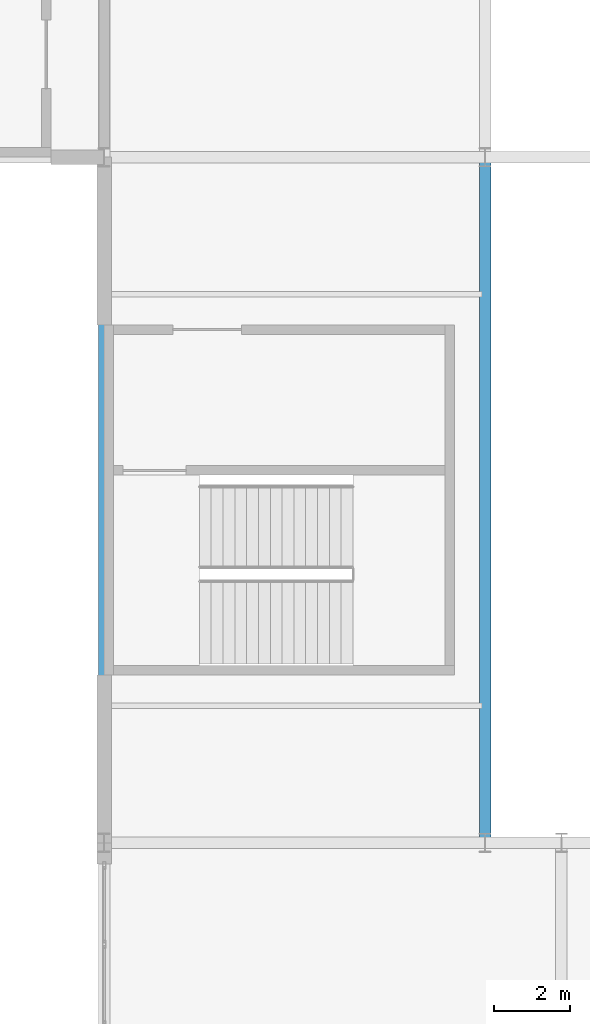
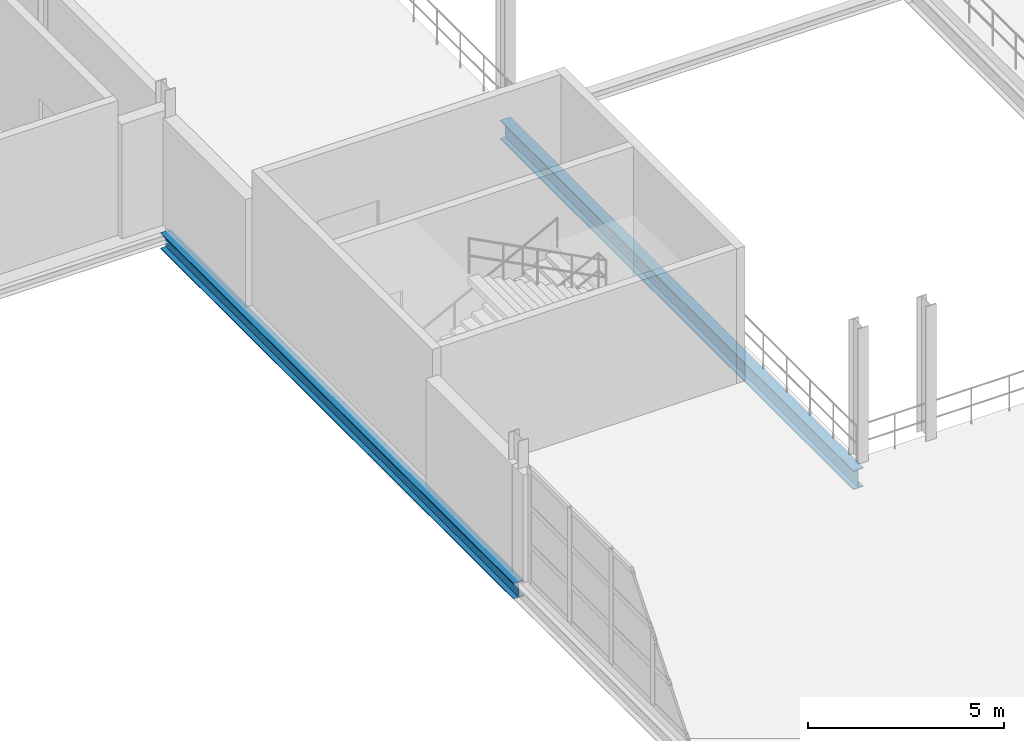
# One storey, part 28 of 158: 2 beams.
"""IFC4 building model written with IfcOpenShell, lengths in metres."""

import ifcopenshell
import ifcopenshell.guid

model = None  # the IFC model being written
_history = None  # IfcOwnerHistory: only IFC2X3 demands one
_inside = {}  # id of a spatial element -> (the spatial element, [elements in it])
_under = {}  # id of a project, library or spatial element -> (it, [spatial elements below it])
_declared = {}  # id of a project -> (the project, [libraries it declares])
_typed = {}  # id of a type object -> (the type object, [elements of that type])
_made_of = {}  # id of a material, layer set ... -> (it, [elements and type objects made of it])


def new_model(schema):
    """Start an empty IFC model of exactly this schema.

    Asked for "IFC4X3", IfcOpenShell would pick the latest addendum, in which some entities
    have other attributes; the version numbers below select the first issue.
    IFC2X3 requires an IfcOwnerHistory on every rooted entity: one is made here for all.
    """
    global model, _history
    if schema == "IFC4X3":
        model = ifcopenshell.file(schema_version=(4, 3, 0, 0))
    else:
        model = ifcopenshell.file(schema=schema)
    _inside.clear()
    _under.clear()
    _declared.clear()
    _typed.clear()
    _made_of.clear()
    _history = None
    if model.schema == "IFC2X3":
        org = make("IfcOrganization", Name="unknown")
        user = make(
            "IfcPersonAndOrganization",
            ThePerson=make("IfcPerson", FamilyName="unknown"),
            TheOrganization=org,
        )
        app = make(
            "IfcApplication",
            ApplicationDeveloper=org,
            Version="unknown",
            ApplicationFullName="unknown",
            ApplicationIdentifier="unknown",
        )
        _history = make(
            "IfcOwnerHistory",
            OwningUser=user,
            OwningApplication=app,
            ChangeAction="ADDED",
            CreationDate=0,
        )
    return model


def make(cls, **values):
    """One entity of the class cls with the attributes given. An attribute that is None is left unset."""
    return model.create_entity(
        cls, **{name: value for name, value in values.items() if value is not None}
    )


def rooted(cls, **values):
    """An entity with a GlobalId (a new one), such as an element, a storey or a relation."""
    return make(cls, GlobalId=ifcopenshell.guid.new(), OwnerHistory=_history, **values)


def si_unit(unit_type, name, prefix=None):
    """IfcSIUnit, for example si_unit("LENGTHUNIT", "METRE", prefix="MILLI")."""
    return make("IfcSIUnit", UnitType=unit_type, Prefix=prefix, Name=name)


def assignment(units):
    """IfcUnitAssignment: the units of a project."""
    return None if units is None else make("IfcUnitAssignment", Units=units)


def point(xyz):
    """IfcCartesianPoint."""
    return None if xyz is None else make("IfcCartesianPoint", Coordinates=xyz)


def direction(xyz):
    """IfcDirection."""
    return None if xyz is None else make("IfcDirection", DirectionRatios=xyz)


def frame(location, z_axis=None, x_axis=None):
    """IfcAxis2Placement3D, a coordinate frame: its origin and axes. An axis left out is left unset."""
    return make(
        "IfcAxis2Placement3D",
        Location=point(location),
        Axis=direction(z_axis),
        RefDirection=direction(x_axis),
    )


def frame_2d(location, x_axis=None):
    """IfcAxis2Placement2D, a coordinate frame in the plane: its origin and x axis."""
    return make(
        "IfcAxis2Placement2D", Location=point(location), RefDirection=direction(x_axis)
    )


def origin():
    """The frame at (0, 0, 0) with its axes left unset."""
    return frame((0.0, 0.0, 0.0))


def origin_2d():
    """The frame at (0, 0) in the plane with its x axis left unset."""
    return frame_2d((0.0, 0.0))


def place(relative_to, where):
    """IfcLocalPlacement: puts the frame where relative to a parent placement (None: the world)."""
    return make(
        "IfcLocalPlacement", PlacementRelTo=relative_to, RelativePlacement=where
    )


def context(
    kind, dimensions, precision=None, world=None, true_north=None, identifier=None
):
    """IfcGeometricRepresentationContext, for example the 3D "Model" context."""
    return make(
        "IfcGeometricRepresentationContext",
        ContextIdentifier=identifier,
        ContextType=kind,
        CoordinateSpaceDimension=dimensions,
        Precision=precision,
        WorldCoordinateSystem=world,
        TrueNorth=true_north,
    )


def subcontext(parent, identifier, kind, view, scale=None):
    """IfcGeometricRepresentationSubContext, for example "Body" below "Model"."""
    return make(
        "IfcGeometricRepresentationSubContext",
        ContextIdentifier=identifier,
        ContextType=kind,
        ParentContext=parent,
        TargetScale=scale,
        TargetView=view,
    )


def project(units=None, contexts=None):
    """IfcProject with its units and contexts."""
    return rooted(
        "IfcProject",
        Name="project",
        RepresentationContexts=contexts,
        UnitsInContext=assignment(units),
    )


def spatial(cls, under=None, at=None, **own):
    """A site, building, storey or space (cls), placed at a placement, below another one or the project."""
    s = rooted(cls, ObjectPlacement=at, **own)
    if under is not None:
        _under.setdefault(under.id(), (under, []))[1].append(s)
    return s


def profile(cls, at=None, kind="AREA", **sizes):
    """A parametric profile (cls). Its sizes go by their IFC names, for example OverallWidth=200.0."""
    return make(cls, ProfileType=kind, Position=at, **sizes)


def i_section(**sizes):
    """IfcIShapeProfileDef."""
    return profile("IfcIShapeProfileDef", **sizes)


def extrude(swept, where, along, depth):
    """IfcExtrudedAreaSolid: the profile swept, set in the frame where, extruded along a direction by depth."""
    return make(
        "IfcExtrudedAreaSolid",
        SweptArea=swept,
        Position=where,
        ExtrudedDirection=direction(along),
        Depth=depth,
    )


def shape(context_of_items, identifier, shape_type, items):
    """IfcShapeRepresentation: the items that make up one representation, for example the "Body"."""
    return make(
        "IfcShapeRepresentation",
        ContextOfItems=context_of_items,
        RepresentationIdentifier=identifier,
        RepresentationType=shape_type,
        Items=items,
    )


def material(Name=None, Category=None):
    """IfcMaterial."""
    return make("IfcMaterial", Name=Name, Category=Category)


def material_profile(
    of_material, cross_section, Name=None, Category=None, Priority=None
):
    """IfcMaterialProfile: a cross section and its material."""
    return make(
        "IfcMaterialProfile",
        Name=Name,
        Material=of_material,
        Profile=cross_section,
        Priority=Priority,
        Category=Category,
    )


def profile_set(profiles, Name=None, composite=None):
    """IfcMaterialProfileSet."""
    return make(
        "IfcMaterialProfileSet",
        Name=Name,
        MaterialProfiles=profiles,
        CompositeProfile=composite,
    )


def made_of(thing, what):
    """Note that an element or type object is made of a material, layer set ...; save() writes the relation."""
    if what is not None:
        _made_of.setdefault(what.id(), (what, []))[1].append(thing)
    return thing


def type_object(cls, material=None, **own):
    """A type object (cls), such as IfcWallType, which elements share."""
    return made_of(rooted(cls, **own), material)


def element(
    cls,
    number,
    at=None,
    inside=None,
    cuts=None,
    type_object=None,
    material=None,
    context=None,
    identifier="Body",
    shape_type=None,
    held_by="IfcProductDefinitionShape",
    body=None,
    shapes=None,
    **own,
):
    """One element of the class cls, such as IfcWall. Its Tag is "e" and its number.

    at: its placement. inside: the storey or other place that contains it. cuts: it is an
    opening in that element (IfcRelVoidsElement). A single representation is given by context,
    identifier, shape_type and body (its items); several are given by shapes. held_by: the class
    of the entity that holds the representations. save() writes the other relations.
    """
    e = rooted(cls, Tag="e%d" % number, ObjectPlacement=at, **own)
    if body is not None:
        shapes = [shape(context, identifier, shape_type, body)]
    if shapes is not None:
        e.Representation = make(held_by, Representations=shapes)
    if inside is not None:
        _inside.setdefault(inside.id(), (inside, []))[1].append(e)
    if cuts is not None:
        rooted(
            "IfcRelVoidsElement", RelatingBuildingElement=cuts, RelatedOpeningElement=e
        )
    if type_object is not None:
        _typed.setdefault(type_object.id(), (type_object, []))[1].append(e)
    return made_of(e, material)


def aggregate(whole, parts):
    """IfcRelAggregates: a whole, such as a stair, and the parts it consists of."""
    return rooted("IfcRelAggregates", RelatingObject=whole, RelatedObjects=parts)


def save(model, path):
    """Write the relations noted so far, then the file.

    IfcRelAggregates (storeys below a building ...), IfcRelContainedInSpatialStructure (elements
    in a storey), IfcRelDefinesByType, IfcRelAssociatesMaterial and IfcRelDeclares: one each for
    every whole, place, type object, material and project.
    """
    for whole, parts in _under.values():
        aggregate(whole, parts)
    for where, things in _inside.values():
        rooted(
            "IfcRelContainedInSpatialStructure",
            RelatedElements=things,
            RelatingStructure=where,
        )
    for kind, things in _typed.values():
        rooted("IfcRelDefinesByType", RelatedObjects=things, RelatingType=kind)
    for what, things in _made_of.values():
        rooted("IfcRelAssociatesMaterial", RelatedObjects=things, RelatingMaterial=what)
    for by, libraries in _declared.values():
        rooted("IfcRelDeclares", RelatingContext=by, RelatedDefinitions=libraries)
    model.write(path)


model = new_model("IFC4")

# Units and contexts
model_context = context("Model", 3, precision=1e-05, world=origin(), true_north=direction((0.0, 1.0)))
body_context = subcontext(model_context, "Body", "Model", "MODEL_VIEW")
ifc_project = project(units=[si_unit("LENGTHUNIT", "METRE"), si_unit("AREAUNIT", "SQUARE_METRE"), si_unit("VOLUMEUNIT", "CUBIC_METRE"), si_unit("PLANEANGLEUNIT", "RADIAN"), si_unit("MASSUNIT", "GRAM", prefix="KILO")], contexts=[model_context])

# Site, building, storey
site_placement = place(None, origin())
site = spatial("IfcSite", under=ifc_project, at=site_placement, CompositionType="ELEMENT")
building_placement = place(site_placement, origin())
building = spatial("IfcBuilding", under=site, at=building_placement, Name="Zilviju Railside Exhibition Hall", CompositionType="ELEMENT")
storey_placement = place(building_placement, frame((0.0, 0.0, 4.199951171875)))
storey = spatial("IfcBuildingStorey", under=building, at=storey_placement, Name="L02", CompositionType="ELEMENT", Elevation=4.199951171875)

# Beams
ifc_material = material(Name="Steel S355J2", Category="steel")
ifc_material_profile_1 = material_profile(ifc_material, i_section(OverallWidth=0.300048828125, OverallDepth=0.5, WebThickness=0.014404296875, FlangeThickness=0.028076171875, at=origin_2d()), Name="HEB 500")
ifc_profile_set_1 = profile_set([ifc_material_profile_1], Name="Steel S355J2")
beam_type_1 = type_object("IfcBeamType", Name="BM-HEB500", PredefinedType="BEAM", material=ifc_profile_set_1)
beam_1_placement = place(storey_placement, frame((48.0, 18.0, -0.60986328125), z_axis=(0.0, 1.0, 0.0), x_axis=(-1.0, 0.0, 0.0)))
element("IfcBeam", 1, at=beam_1_placement, inside=storey, type_object=beam_type_1, Name="Transverse Girder L02 X=48.0 (18.0..36.0)", PredefinedType="BEAM", context=body_context, shape_type="SweptSolid", body=[
    extrude(i_section(OverallWidth=0.300048828125, OverallDepth=0.5, WebThickness=0.014404296875, FlangeThickness=0.028076171875, at=origin_2d()), origin(), (0.0, 0.0, 1.0), 18.0),
])
ifc_material_profile_2 = material_profile(ifc_material, i_section(OverallWidth=0.300048828125, OverallDepth=0.60009765625, WebThickness=0.015380859375, FlangeThickness=0.030029296875, at=origin_2d()), Name="HEB 600")
ifc_profile_set_2 = profile_set([ifc_material_profile_2], Name="Steel S355J2")
beam_type_2 = type_object("IfcBeamType", Name="BM-HEB600", PredefinedType="BEAM", material=ifc_profile_set_2)
beam_2_placement = place(storey_placement, frame((58.0, 18.0, -0.64990234375), z_axis=(0.0, 1.0, 0.0), x_axis=(-1.0, 0.0, 0.0)))
element("IfcBeam", 2, at=beam_2_placement, inside=storey, type_object=beam_type_2, Name="Transverse Girder L02 X=58.0 (18.0..36.0)", PredefinedType="BEAM", context=body_context, shape_type="SweptSolid", body=[
    extrude(i_section(OverallWidth=0.300048828125, OverallDepth=0.60009765625, WebThickness=0.015380859375, FlangeThickness=0.030029296875, at=origin_2d()), origin(), (0.0, 0.0, 1.0), 18.0),
])

save(model, "model.ifc")
